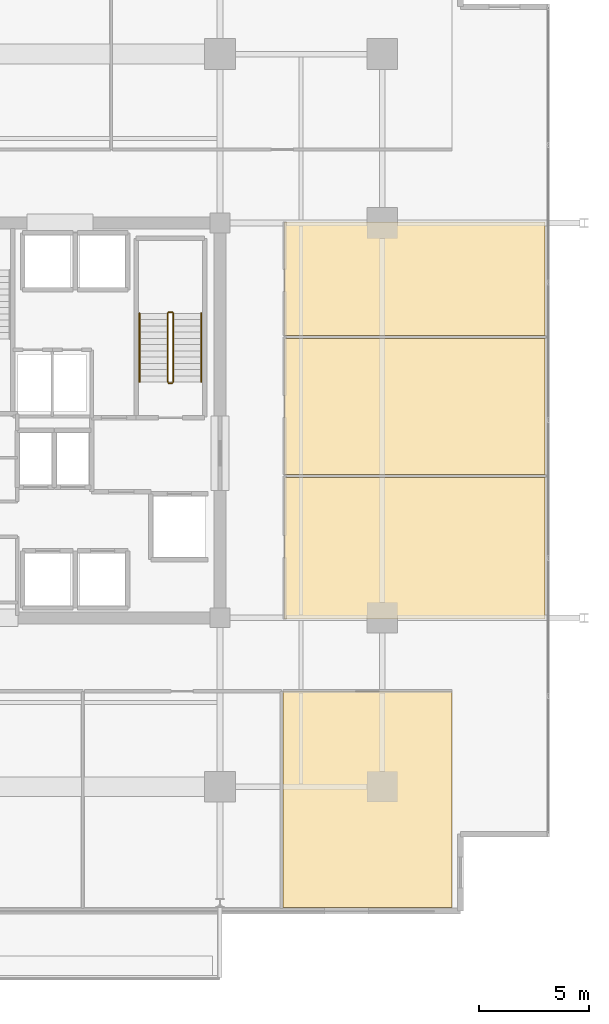
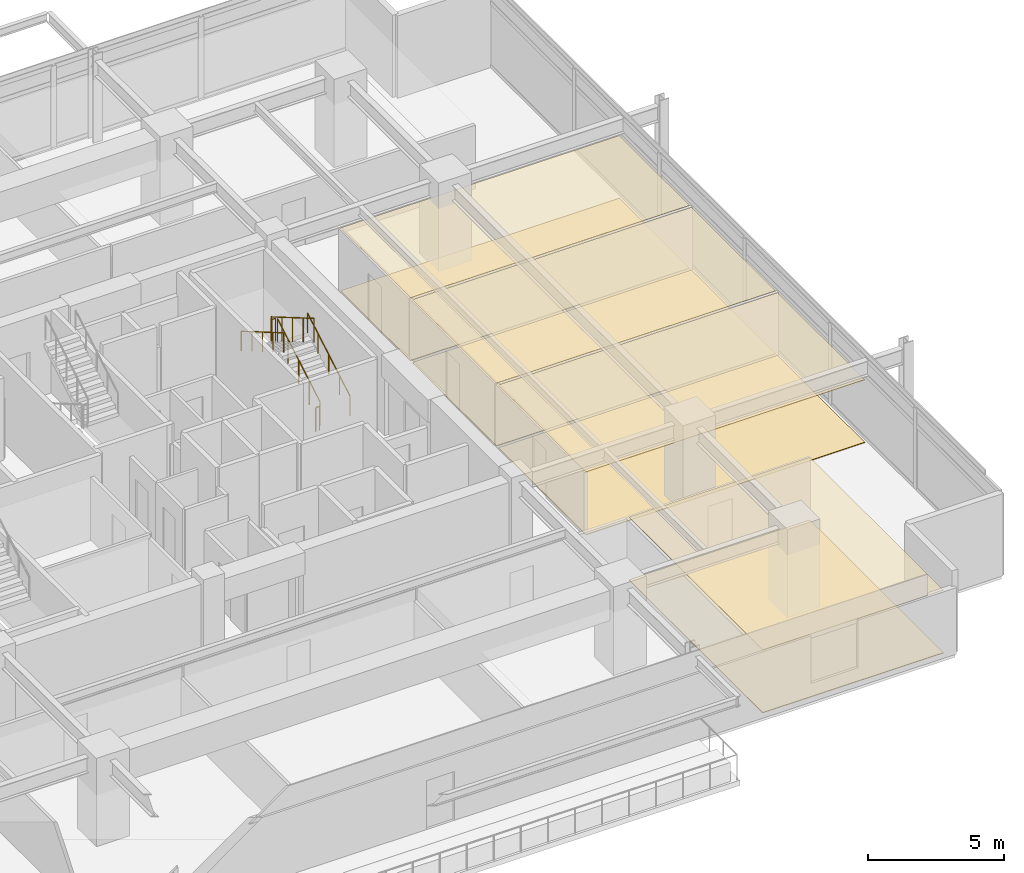
# One storey, part 20 of 22: 8 coverings, 6 railings.
"""IFC4 building model written with IfcOpenShell, lengths in metres."""

from ifc_helpers import new_model, si_unit, direction, frame, origin, origin_2d, place, context, subcontext, project, spatial, polyline, circle, outline, extrude, material, layer, layer_set, type_object, element, save


model = new_model("IFC4")

# Units and contexts
model_context = context("Model", 3, precision=1e-05, world=origin(), true_north=direction((0.0, 1.0)))
body_context = subcontext(model_context, "Body", "Model", "MODEL_VIEW")
ifc_project = project(units=[si_unit("LENGTHUNIT", "METRE"), si_unit("AREAUNIT", "SQUARE_METRE"), si_unit("VOLUMEUNIT", "CUBIC_METRE"), si_unit("PLANEANGLEUNIT", "RADIAN"), si_unit("MASSUNIT", "GRAM", prefix="KILO")], contexts=[model_context])

# Site, building, storey
site_placement = place(None, origin())
site = spatial("IfcSite", under=ifc_project, at=site_placement, CompositionType="ELEMENT")
building_placement = place(site_placement, origin())
building = spatial("IfcBuilding", under=site, at=building_placement, Name="Kovane Verandah Tower", CompositionType="ELEMENT")
storey_placement = place(building_placement, frame((0.0, 0.0, 229.199951171875)))
storey = spatial("IfcBuildingStorey", under=building, at=storey_placement, Name="L53", CompositionType="ELEMENT", Elevation=229.199951171875)

# Coverings
ifc_material_1 = material(Name="Perforated Acoustic Mineral-Fibre Ceiling Tile", Category="gypsum")
ifc_layer_1 = layer(ifc_material_1, 0.02490234375)
ifc_layer_set_1 = layer_set([ifc_layer_1], Name="Perforated Acoustic Mineral-Fibre Ceiling Tile")
covering_type_1 = type_object("IfcCoveringType", Name="CV-CEIL-25", PredefinedType="CEILING", material=ifc_layer_set_1)
covering_1_placement = place(storey_placement, frame((0.0, 0.0, 2.824951171875)))
element("IfcCovering", 1, at=covering_1_placement, inside=storey, type_object=covering_type_1, Name="L53 Executive Office S5 Acoustic Ceiling", PredefinedType="CEILING", context=body_context, shape_type="SweptSolid", body=[
    extrude(outline(polyline([(53.87451171875, 5.289794921875), (61.5693359375, 5.289794921875), (61.5693359375, 15.14990234375), (53.87451171875, 15.14990234375), (53.87451171875, 5.289794921875)])), origin(), (0.0, 0.0, 1.0), 0.025146484375),
])
covering_2_placement = place(storey_placement, frame((0.0, 0.0, 2.824951171875)))
element("IfcCovering", 2, at=covering_2_placement, inside=storey, type_object=covering_type_1, Name="L53 Breakout Pantry E1 Acoustic Ceiling", PredefinedType="CEILING", context=body_context, shape_type="SweptSolid", body=[
    extrude(outline(polyline([(53.949951171875, 18.449951171875), (65.8193359375, 18.449951171875), (65.8193359375, 24.89599609375), (53.949951171875, 24.89599609375), (53.949951171875, 18.449951171875)])), origin(), (0.0, 0.0, 1.0), 0.025146484375),
])
covering_3_placement = place(storey_placement, frame((0.0, 0.0, 2.824951171875)))
element("IfcCovering", 3, at=covering_3_placement, inside=storey, type_object=covering_type_1, Name="L53 Collaboration Hub E2 Acoustic Ceiling", PredefinedType="CEILING", context=body_context, shape_type="SweptSolid", body=[
    extrude(outline(polyline([(53.949951171875, 25.035888671875), (65.8193359375, 25.035888671875), (65.8193359375, 31.23095703125), (53.949951171875, 31.23095703125), (53.949951171875, 25.035888671875)])), origin(), (0.0, 0.0, 1.0), 0.025146484375),
])
covering_4_placement = place(storey_placement, frame((0.0, 0.0, 2.824951171875)))
element("IfcCovering", 4, at=covering_4_placement, inside=storey, type_object=covering_type_1, Name="L53 Document and Print Room E3 Acoustic Ceiling", PredefinedType="CEILING", context=body_context, shape_type="SweptSolid", body=[
    extrude(outline(polyline([(53.949951171875, 31.37109375), (65.8193359375, 31.37109375), (65.8193359375, 36.550048828125), (53.949951171875, 36.550048828125), (53.949951171875, 31.37109375)])), origin(), (0.0, 0.0, 1.0), 0.025146484375),
])
ifc_material_2 = material(Name="Polished Terrazzo and Raised-Access Carpet Tile Finish", Category="concrete")
ifc_layer_2 = layer(ifc_material_2, 0.030029296875)
ifc_layer_set_2 = layer_set([ifc_layer_2], Name="Polished Terrazzo and Raised-Access Carpet Tile Finish")
covering_type_2 = type_object("IfcCoveringType", Name="CV-FLOR-30", PredefinedType="FLOORING", material=ifc_layer_set_2)
covering_5_placement = place(storey_placement, origin())
element("IfcCovering", 5, at=covering_5_placement, inside=storey, type_object=covering_type_2, Name="L53 Executive Office S5 Floor Finish", PredefinedType="FLOORING", context=body_context, shape_type="SweptSolid", body=[
    extrude(outline(polyline([(53.87451171875, 5.289794921875), (61.5693359375, 5.289794921875), (61.5693359375, 15.14990234375), (53.87451171875, 15.14990234375), (53.87451171875, 5.289794921875)])), origin(), (0.0, 0.0, 1.0), 0.030029296875),
])
covering_6_placement = place(storey_placement, origin())
element("IfcCovering", 6, at=covering_6_placement, inside=storey, type_object=covering_type_2, Name="L53 Breakout Pantry E1 Floor Finish", PredefinedType="FLOORING", context=body_context, shape_type="SweptSolid", body=[
    extrude(outline(polyline([(53.949951171875, 18.449951171875), (65.8193359375, 18.449951171875), (65.8193359375, 24.89599609375), (53.949951171875, 24.89599609375), (53.949951171875, 18.449951171875)])), origin(), (0.0, 0.0, 1.0), 0.030029296875),
])
covering_7_placement = place(storey_placement, origin())
element("IfcCovering", 7, at=covering_7_placement, inside=storey, type_object=covering_type_2, Name="L53 Collaboration Hub E2 Floor Finish", PredefinedType="FLOORING", context=body_context, shape_type="SweptSolid", body=[
    extrude(outline(polyline([(53.949951171875, 25.035888671875), (65.8193359375, 25.035888671875), (65.8193359375, 31.23095703125), (53.949951171875, 31.23095703125), (53.949951171875, 25.035888671875)])), origin(), (0.0, 0.0, 1.0), 0.030029296875),
])
covering_8_placement = place(storey_placement, origin())
element("IfcCovering", 8, at=covering_8_placement, inside=storey, type_object=covering_type_2, Name="L53 Document and Print Room E3 Floor Finish", PredefinedType="FLOORING", context=body_context, shape_type="SweptSolid", body=[
    extrude(outline(polyline([(53.949951171875, 31.37109375), (65.8193359375, 31.37109375), (65.8193359375, 36.550048828125), (53.949951171875, 36.550048828125), (53.949951171875, 31.37109375)])), origin(), (0.0, 0.0, 1.0), 0.030029296875),
])

# Railings
ifc_material_3 = material(Name="Brushed Stainless Steel Handrail", Category="steel")
railing_type_1 = type_object("IfcRailingType", Name="RL-HAND-920", PredefinedType="HANDRAIL", material=ifc_material_3)
railing_1_placement = place(storey_placement, frame((50.14990234375, 29.25, 0.166748046875)))
element("IfcRailing", 9, at=railing_1_placement, inside=storey, type_object=railing_type_1, Name="L53 ST-02 stair handrail 1", PredefinedType="HANDRAIL", context=body_context, shape_type="SweptSolid", body=[
    extrude(circle(Radius=0.02392578125, at=origin_2d()), frame((0.0, 0.0, 0.8759765625), z_axis=(0.0, 0.863239559939, 0.504794475164), x_axis=(-1.0, 0.0, 0.0)), (0.0, 0.0, 1.0), 3.631591796875),
    extrude(circle(Radius=0.02099609375, at=origin_2d()), origin(), (0.0, 0.0, 1.0), 0.851806640625),
    extrude(circle(Radius=0.02099609375, at=origin_2d()), frame((0.0, 0.78369140625, 0.458251953125)), (0.0, 0.0, 1.0), 0.851806640625),
    extrude(circle(Radius=0.02099609375, at=origin_2d()), frame((0.0, 1.5673828125, 0.91650390625)), (0.0, 0.0, 1.0), 0.851806640625),
    extrude(circle(Radius=0.02099609375, at=origin_2d()), frame((0.0, 2.351318359375, 1.375)), (0.0, 0.0, 1.0), 0.851806640625),
    extrude(circle(Radius=0.02099609375, at=origin_2d()), frame((0.0, 3.135009765625, 1.833251953125)), (0.0, 0.0, 1.0), 0.851806640625),
])
railing_2_placement = place(storey_placement, frame((47.330078125, 32.385009765625, 2.166748046875)))
element("IfcRailing", 10, at=railing_2_placement, inside=storey, type_object=railing_type_1, Name="L53 ST-02 stair handrail 2", PredefinedType="HANDRAIL", context=body_context, shape_type="SweptSolid", body=[
    extrude(circle(Radius=0.02392578125, at=origin_2d()), frame((0.0, 0.0, 0.8759765625), z_axis=(0.0, -0.863239559939, 0.504794475164), x_axis=(1.0, 0.0, 0.0)), (0.0, 0.0, 1.0), 3.631591796875),
    extrude(circle(Radius=0.02099609375, at=origin_2d()), origin(), (0.0, 0.0, 1.0), 0.851806640625),
    extrude(circle(Radius=0.02099609375, at=origin_2d()), frame((0.0, -0.78369140625, 0.458251953125)), (0.0, 0.0, 1.0), 0.851806640625),
    extrude(circle(Radius=0.02099609375, at=origin_2d()), frame((0.0, -1.5673828125, 0.91650390625)), (0.0, 0.0, 1.0), 0.851806640625),
    extrude(circle(Radius=0.02099609375, at=origin_2d()), frame((0.0, -2.351318359375, 1.375)), (0.0, 0.0, 1.0), 0.851806640625),
    extrude(circle(Radius=0.02099609375, at=origin_2d()), frame((0.0, -3.135009765625, 1.833251953125)), (0.0, 0.0, 1.0), 0.851806640625),
])
ifc_material_4 = material(Name="Painted Steel Stairwell Guardrail", Category="steel")
railing_type_2 = type_object("IfcRailingType", Name="RL-STGUARD-1120", PredefinedType="GUARDRAIL", material=ifc_material_4)
railing_3_placement = place(storey_placement, frame((48.8701171875, 29.25, 0.166748046875)))
element("IfcRailing", 11, at=railing_3_placement, inside=storey, type_object=railing_type_2, Name="L53 ST-02 stair guard 1", PredefinedType="GUARDRAIL", context=body_context, shape_type="SweptSolid", body=[
    extrude(circle(Radius=0.02392578125, at=origin_2d()), frame((0.0, 0.0, 1.076171875), z_axis=(0.0, 0.863239559939, 0.504794475164), x_axis=(-1.0, 0.0, 0.0)), (0.0, 0.0, 1.0), 3.631591796875),
    extrude(circle(Radius=0.02099609375, at=origin_2d()), origin(), (0.0, 0.0, 1.0), 1.052001953125),
    extrude(circle(Radius=0.02099609375, at=origin_2d()), frame((0.0, 0.78369140625, 0.458251953125)), (0.0, 0.0, 1.0), 1.052001953125),
    extrude(circle(Radius=0.02099609375, at=origin_2d()), frame((0.0, 1.5673828125, 0.91650390625)), (0.0, 0.0, 1.0), 1.052001953125),
    extrude(circle(Radius=0.02099609375, at=origin_2d()), frame((0.0, 2.351318359375, 1.375)), (0.0, 0.0, 1.0), 1.052001953125),
    extrude(circle(Radius=0.02099609375, at=origin_2d()), frame((0.0, 3.135009765625, 1.833251953125)), (0.0, 0.0, 1.0), 1.052001953125),
])
railing_4_placement = place(storey_placement, frame((48.820068359375, 32.43505859375, 2.0)))
element("IfcRailing", 12, at=railing_4_placement, inside=storey, type_object=railing_type_2, Name="L53 ST-02 stair guard 2", PredefinedType="GUARDRAIL", context=body_context, shape_type="SweptSolid", body=[
    extrude(circle(Radius=0.02392578125, at=origin_2d()), frame((0.0, 0.0, 1.076171875), z_axis=(-1.0, 0.0, 0.0), x_axis=(0.0, -1.0, 0.0)), (0.0, 0.0, 1.0), 0.16015625),
    extrude(circle(Radius=0.02099609375, at=origin_2d()), origin(), (0.0, 0.0, 1.0), 1.052001953125),
    extrude(circle(Radius=0.02099609375, at=origin_2d()), frame((-0.16015625, 0.0, 0.0)), (0.0, 0.0, 1.0), 1.052001953125),
])
railing_5_placement = place(storey_placement, frame((48.610107421875, 32.385009765625, 2.166748046875)))
element("IfcRailing", 13, at=railing_5_placement, inside=storey, type_object=railing_type_2, Name="L53 ST-02 stair guard 3", PredefinedType="GUARDRAIL", context=body_context, shape_type="SweptSolid", body=[
    extrude(circle(Radius=0.02392578125, at=origin_2d()), frame((0.0, 0.0, 1.076171875), z_axis=(0.0, -0.863239559939, 0.504794475164), x_axis=(1.0, 0.0, 0.0)), (0.0, 0.0, 1.0), 3.631591796875),
    extrude(circle(Radius=0.02099609375, at=origin_2d()), origin(), (0.0, 0.0, 1.0), 1.052001953125),
    extrude(circle(Radius=0.02099609375, at=origin_2d()), frame((0.0, -0.78369140625, 0.458251953125)), (0.0, 0.0, 1.0), 1.052001953125),
    extrude(circle(Radius=0.02099609375, at=origin_2d()), frame((0.0, -1.5673828125, 0.91650390625)), (0.0, 0.0, 1.0), 1.052001953125),
    extrude(circle(Radius=0.02099609375, at=origin_2d()), frame((0.0, -2.351318359375, 1.375)), (0.0, 0.0, 1.0), 1.052001953125),
    extrude(circle(Radius=0.02099609375, at=origin_2d()), frame((0.0, -3.135009765625, 1.833251953125)), (0.0, 0.0, 1.0), 1.052001953125),
])
railing_6_placement = place(storey_placement, frame((48.820068359375, 29.199951171875, 0.0)))
element("IfcRailing", 14, at=railing_6_placement, inside=storey, type_object=railing_type_2, Name="L53 ST-02 stair guard 4", PredefinedType="GUARDRAIL", context=body_context, shape_type="SweptSolid", body=[
    extrude(circle(Radius=0.02392578125, at=origin_2d()), frame((0.0, 0.0, 1.076171875), z_axis=(-1.0, 0.0, 0.0), x_axis=(0.0, -1.0, 0.0)), (0.0, 0.0, 1.0), 0.16015625),
    extrude(circle(Radius=0.02099609375, at=origin_2d()), origin(), (0.0, 0.0, 1.0), 1.052001953125),
    extrude(circle(Radius=0.02099609375, at=origin_2d()), frame((-0.16015625, 0.0, 0.0)), (0.0, 0.0, 1.0), 1.052001953125),
])

save(model, "model.ifc")
